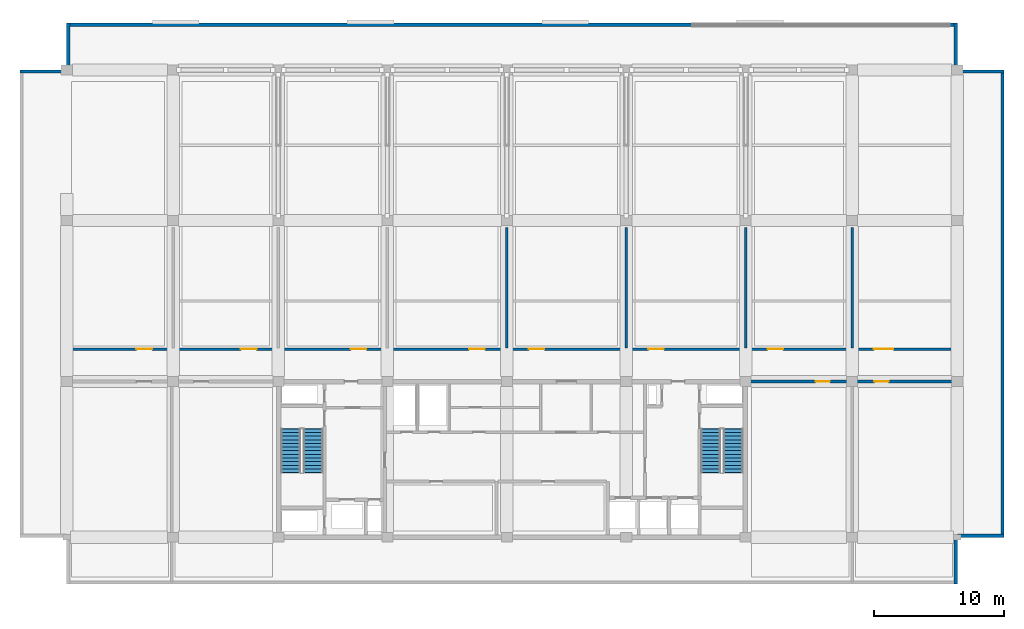
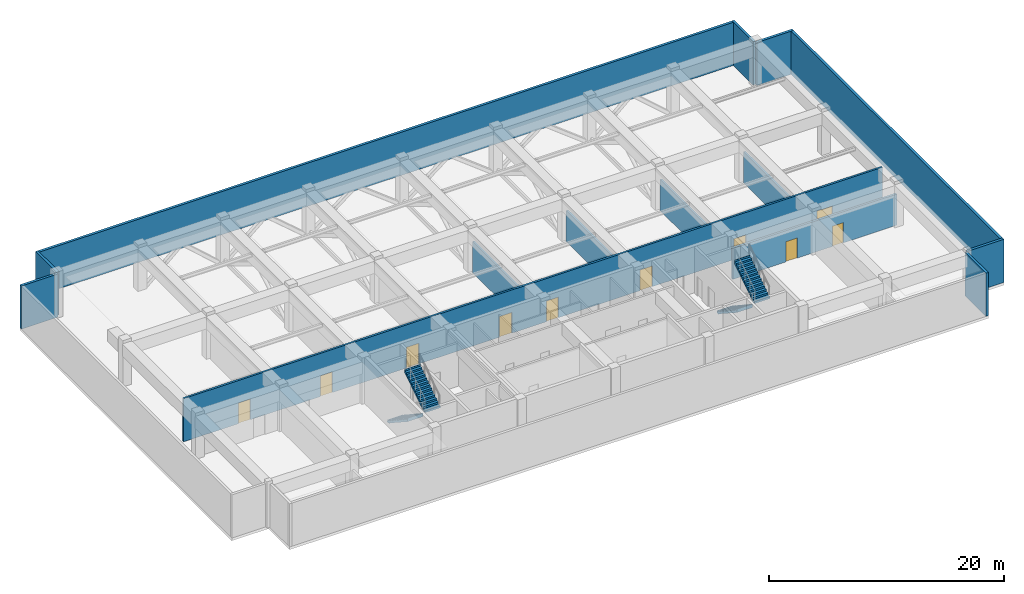
# One storey, part 7 of 11: 14 walls, 10 doors, 4 stair flights, 10 openings, 2 elements without a shape of their own.
"""IFC4 building model written with IfcOpenShell, lengths in metres."""

from ifc_helpers import new_model, si_unit, direction, frame, frame_2d, origin, place, context, subcontext, project, spatial, polyline, rectangle, outline, extrude, material, layer, layer_set, type_object, element, fill, aggregate, save


model = new_model("IFC4")

# Units and contexts
model_context = context("Model", 3, precision=1e-05, world=origin(), true_north=direction((0.0, 1.0)))
body_context = subcontext(model_context, "Body", "Model", "MODEL_VIEW")
ifc_project = project(units=[si_unit("LENGTHUNIT", "METRE"), si_unit("AREAUNIT", "SQUARE_METRE"), si_unit("VOLUMEUNIT", "CUBIC_METRE"), si_unit("PLANEANGLEUNIT", "RADIAN"), si_unit("MASSUNIT", "GRAM", prefix="KILO")], contexts=[model_context])

# Site, building, storey
site_placement = place(None, origin())
site = spatial("IfcSite", under=ifc_project, at=site_placement, CompositionType="ELEMENT")
building_placement = place(site_placement, origin())
building = spatial("IfcBuilding", under=site, at=building_placement, Name="Korimba Cascade Residences", CompositionType="ELEMENT")
storey_placement = place(building_placement, frame((0.0, 0.0, 223.85009765625)))
storey = spatial("IfcBuildingStorey", under=building, at=storey_placement, Name="L65", CompositionType="ELEMENT", Elevation=223.85009765625)

# Walls
ifc_material_1 = material(Name="Precast concrete C40/50", Category="concrete")
ifc_layer_1 = layer(ifc_material_1, 0.25)
ifc_layer_set_1 = layer_set([ifc_layer_1], Name="Precast concrete C40/50")
wall_type_1 = type_object("IfcWallType", Name="EW-PLNT-250", PredefinedType="SHEAR", material=ifc_layer_set_1)
wall_1_placement = place(storey_placement, frame((128.27490234375, 51.60009765625, 0.0), z_axis=(0.0, 0.0, 1.0), x_axis=(0.0, 1.0, 0.0)))
element("IfcWall", 1, at=wall_1_placement, inside=storey, type_object=wall_type_1, Name="L65 T1 Perimeter Stone Wall E01", PredefinedType="SHEAR", context=body_context, shape_type="SweptSolid", body=[
    extrude(rectangle(XDim=3.599853515625, YDim=0.25, at=frame_2d((1.7998046875, 0.0))), origin(), (0.0, 0.0, 1.0), 4.47998046875),
])
wall_2_placement = place(storey_placement, frame((128.39990234375, 55.324951171875, 0.0), z_axis=(0.0, 0.0, 1.0), x_axis=(1.0, 0.0, 0.0)))
element("IfcWall", 2, at=wall_2_placement, inside=storey, type_object=wall_type_1, Name="L65 T1 Perimeter Stone Wall E02", PredefinedType="SHEAR", context=body_context, shape_type="SweptSolid", body=[
    extrude(rectangle(XDim=3.60009765625, YDim=0.25, at=frame_2d((1.800048828125, 0.0))), origin(), (0.0, 0.0, 1.0), 4.47998046875),
])
wall_3_placement = place(storey_placement, frame((131.875, 55.199951171875, 0.0), z_axis=(0.0, 0.0, 1.0), x_axis=(0.0, 1.0, 0.0)))
element("IfcWall", 3, at=wall_3_placement, inside=storey, type_object=wall_type_1, Name="L65 T1 Perimeter Stone Wall E03", PredefinedType="SHEAR", context=body_context, shape_type="SweptSolid", body=[
    extrude(rectangle(XDim=36.0, YDim=0.25, at=frame_2d((18.0, 0.0))), origin(), (0.0, 0.0, 1.0), 4.47998046875),
])
for number, where, z_axis, x_axis, name in (
    (4, (132.0, 91.074951171875, 0.0), (0.0, 0.0, 1.0), (-1.0, 0.0, 0.0), "L65 T1 Perimeter Stone Wall E04"),
    (5, (128.27490234375, 91.199951171875, 0.0), (0.0, 0.0, 1.0), (0.0, 1.0, 0.0), "L65 T1 Perimeter Stone Wall E05"),
):
    element("IfcWall", number, at=place(storey_placement, frame(where, z_axis=z_axis, x_axis=x_axis)), inside=storey, type_object=wall_type_1, Name=name, PredefinedType="SHEAR", context=body_context, shape_type="SweptSolid", body=[
        extrude(rectangle(XDim=3.60009765625, YDim=0.25, at=frame_2d((1.800048828125, 0.0))), origin(), (0.0, 0.0, 1.0), 4.47998046875),
    ])
wall_4_placement = place(storey_placement, frame((128.39990234375, 94.675048828125, 0.0), z_axis=(0.0, 0.0, 1.0), x_axis=(-1.0, 0.0, 0.0)))
element("IfcWall", 6, at=wall_4_placement, inside=storey, type_object=wall_type_1, Name="L65 T1 Perimeter Stone Wall E06", PredefinedType="SHEAR", context=body_context, shape_type="SweptSolid", body=[
    extrude(rectangle(XDim=68.599853515625, YDim=0.25, at=frame_2d((34.2998046875, 0.0))), origin(), (0.0, 0.0, 1.0), 4.47998046875),
])
for number, where, z_axis, x_axis, name in (
    (7, (59.925048828125, 94.800048828125, 0.0), (0.0, 0.0, 1.0), (0.0, -1.0, 0.0), "L65 T1 Perimeter Stone Wall E07"),
    (8, (59.800048828125, 91.074951171875, 0.0), (0.0, 0.0, 1.0), (-1.0, 0.0, 0.0), "L65 T1 Perimeter Stone Wall E08"),
):
    element("IfcWall", number, at=place(storey_placement, frame(where, z_axis=z_axis, x_axis=x_axis)), inside=storey, type_object=wall_type_1, Name=name, PredefinedType="SHEAR", context=body_context, shape_type="SweptSolid", body=[
        extrude(rectangle(XDim=3.60009765625, YDim=0.25, at=frame_2d((1.800048828125, 0.0))), origin(), (0.0, 0.0, 1.0), 4.47998046875),
    ])
ifc_material_2 = material(Name="Concrete C40/50", Category="concrete")
ifc_layer_2 = layer(ifc_material_2, 0.199951171875)
ifc_layer_set_2 = layer_set([ifc_layer_2], Name="Concrete C40/50")
wall_type_2 = type_object("IfcWallType", Name="WAL-PART-200", PredefinedType="PARTITIONING", material=ifc_layer_set_2)
for number, where, z_axis, x_axis, name in (
    (9, (93.699951171875, 69.800048828125, 0.0), (0.0, 0.0, 1.0), (0.0, 1.0, 0.0), "L65 Partition Wall WAL-L65-T1-PD4"),
    (10, (102.89990234375, 69.800048828125, 0.0), (0.0, 0.0, 1.0), (0.0, 1.0, 0.0), "L65 Partition Wall WAL-L65-T1-PD5"),
    (11, (112.10009765625, 69.800048828125, 0.0), (0.0, 0.0, 1.0), (0.0, 1.0, 0.0), "L65 Partition Wall WAL-L65-T1-PD6"),
    (12, (120.300048828125, 69.800048828125, 0.0), (0.0, 0.0, 1.0), (0.0, 1.0, 0.0), "L65 Partition Wall WAL-L65-T1-PD7"),
):
    element("IfcWall", number, at=place(storey_placement, frame(where, z_axis=z_axis, x_axis=x_axis)), inside=storey, type_object=wall_type_2, Name=name, PredefinedType="PARTITIONING", context=body_context, shape_type="SweptSolid", body=[
        extrude(rectangle(XDim=9.25, YDim=0.199951171875, at=frame_2d((4.625, 0.0))), origin(), (0.0, 0.0, 1.0), 3.22998046875),
    ])

# Wall, openings, doors
wall_5_placement = place(storey_placement, frame((59.800048828125, 69.699951171875, 0.0), z_axis=(0.0, 0.0, 1.0), x_axis=(1.0, 0.0, 0.0)))
wall_5 = element("IfcWall", 13, at=wall_5_placement, inside=storey, type_object=wall_type_2, Name="L65 Partition Wall WAL-L65-T1-PCORN", PredefinedType="PARTITIONING", context=body_context, shape_type="SweptSolid", body=[
    extrude(rectangle(XDim=68.599853515625, YDim=0.199951171875, at=frame_2d((34.2998046875, 0.0))), origin(), (0.0, 0.0, 1.0), 4.47998046875),
])
opening_1_placement = place(wall_5_placement, frame((5.3720703125, 0.0, 0.0)))
opening_1 = element("IfcOpeningElement", 14, at=opening_1_placement, cuts=wall_5, Name="Opening D-FD3", PredefinedType="OPENING", context=body_context, shape_type="SweptSolid", body=[
    extrude(rectangle(XDim=1.199951171875, YDim=2.14990234375, at=frame_2d((0.60009765625, 1.074951171875))), frame((0.0, 0.10986328125, 0.0), z_axis=(0.0, -1.0, 0.0), x_axis=(1.0, 0.0, 0.0)), (0.0, 0.0, 1.0), 0.219970703125),
])
opening_2_placement = place(wall_5_placement, frame((13.4208984375, 0.0, 0.0)))
opening_2 = element("IfcOpeningElement", 15, at=opening_2_placement, cuts=wall_5, Name="Opening D-FD3", PredefinedType="OPENING", context=body_context, shape_type="SweptSolid", body=[
    extrude(rectangle(XDim=1.199951171875, YDim=2.14990234375, at=frame_2d((0.60009765625, 1.074951171875))), frame((0.0, 0.10986328125, 0.0), z_axis=(0.0, -1.0, 0.0), x_axis=(1.0, 0.0, 0.0)), (0.0, 0.0, 1.0), 0.219970703125),
])
opening_3_placement = place(wall_5_placement, frame((21.884033203125, 0.0, 0.0)))
opening_3 = element("IfcOpeningElement", 16, at=opening_3_placement, cuts=wall_5, Name="Opening D-FD3", PredefinedType="OPENING", context=body_context, shape_type="SweptSolid", body=[
    extrude(rectangle(XDim=1.199951171875, YDim=2.14990234375, at=frame_2d((0.60009765625, 1.074951171875))), frame((0.0, 0.10986328125, 0.0), z_axis=(0.0, -1.0, 0.0), x_axis=(1.0, 0.0, 0.0)), (0.0, 0.0, 1.0), 0.219970703125),
])
opening_4_placement = place(wall_5_placement, frame((31.00390625, 0.0, 0.0)))
opening_4 = element("IfcOpeningElement", 17, at=opening_4_placement, cuts=wall_5, Name="Opening D-FD3", PredefinedType="OPENING", context=body_context, shape_type="SweptSolid", body=[
    extrude(rectangle(XDim=1.199951171875, YDim=2.14990234375, at=frame_2d((0.60009765625, 1.074951171875))), frame((0.0, 0.10986328125, 0.0), z_axis=(0.0, -1.0, 0.0), x_axis=(1.0, 0.0, 0.0)), (0.0, 0.0, 1.0), 0.219970703125),
])
opening_5_placement = place(wall_5_placement, frame((35.595947265625, 0.0, 0.0)))
opening_5 = element("IfcOpeningElement", 18, at=opening_5_placement, cuts=wall_5, Name="Opening D-FD3", PredefinedType="OPENING", context=body_context, shape_type="SweptSolid", body=[
    extrude(rectangle(XDim=1.199951171875, YDim=2.14990234375, at=frame_2d((0.60009765625, 1.074951171875))), frame((0.0, 0.10986328125, 0.0), z_axis=(0.0, -1.0, 0.0), x_axis=(1.0, 0.0, 0.0)), (0.0, 0.0, 1.0), 0.219970703125),
])
opening_6_placement = place(wall_5_placement, frame((44.7958984375, 0.0, 0.0)))
opening_6 = element("IfcOpeningElement", 19, at=opening_6_placement, cuts=wall_5, Name="Opening D-FD3", PredefinedType="OPENING", context=body_context, shape_type="SweptSolid", body=[
    extrude(rectangle(XDim=1.199951171875, YDim=2.14990234375, at=frame_2d((0.60009765625, 1.074951171875))), frame((0.0, 0.10986328125, 0.0), z_axis=(0.0, -1.0, 0.0), x_axis=(1.0, 0.0, 0.0)), (0.0, 0.0, 1.0), 0.219970703125),
])
opening_7_placement = place(wall_5_placement, frame((53.9912109375, 0.0, 0.0)))
opening_7 = element("IfcOpeningElement", 20, at=opening_7_placement, cuts=wall_5, Name="Opening D-FD3", PredefinedType="OPENING", context=body_context, shape_type="SweptSolid", body=[
    extrude(rectangle(XDim=1.199951171875, YDim=2.14990234375, at=frame_2d((0.60009765625, 1.074951171875))), frame((0.0, 0.10986328125, 0.0), z_axis=(0.0, -1.0, 0.0), x_axis=(1.0, 0.0, 0.0)), (0.0, 0.0, 1.0), 0.219970703125),
])
opening_8_placement = place(wall_5_placement, frame((62.181640625, 0.0, 0.0)))
opening_8 = element("IfcOpeningElement", 21, at=opening_8_placement, cuts=wall_5, Name="Opening D-FD4", PredefinedType="OPENING", context=body_context, shape_type="SweptSolid", body=[
    extrude(rectangle(XDim=1.5, YDim=2.179931640625, at=frame_2d((0.75, 1.08984375))), frame((0.0, 0.10986328125, 0.0), z_axis=(0.0, -1.0, 0.0), x_axis=(1.0, 0.0, 0.0)), (0.0, 0.0, 1.0), 0.219970703125),
])
ifc_material_3 = material(Name="Fire-Rated Steel Plant Door", Category="steel")
door_type_1 = type_object("IfcDoorType", Name="DR-FD120-1200", OperationType="NOTDEFINED", PredefinedType="DOOR", material=ifc_material_3)
door_1_placement = place(opening_1_placement, origin())
door_1 = element("IfcDoor", 22, at=door_1_placement, inside=storey, type_object=door_type_1, Name="L65 Chiller Plant Room Door", OperationType="SINGLE_SWING_RIGHT", OverallHeight=2.14990234375, OverallWidth=1.199951171875, PredefinedType="DOOR", context=body_context, shape_type="SweptSolid", body=[
    extrude(rectangle(XDim=1.199951171875, YDim=2.14990234375, at=frame_2d((0.60009765625, 1.074951171875))), frame((0.0, 0.02490234375, 0.0), z_axis=(0.0, -1.0, 0.0), x_axis=(1.0, 0.0, 0.0)), (0.0, 0.0, 1.0), 0.050048828125),
])
fill(opening_1, door_1)
door_2_placement = place(opening_2_placement, origin())
door_2 = element("IfcDoor", 23, at=door_2_placement, inside=storey, type_object=door_type_1, Name="L65 Condenser Water Plant Room Door", OperationType="SINGLE_SWING_LEFT", OverallHeight=2.14990234375, OverallWidth=1.199951171875, PredefinedType="DOOR", context=body_context, shape_type="SweptSolid", body=[
    extrude(rectangle(XDim=1.199951171875, YDim=2.14990234375, at=frame_2d((0.60009765625, 1.074951171875))), frame((0.0, 0.02490234375, 0.0), z_axis=(0.0, -1.0, 0.0), x_axis=(1.0, 0.0, 0.0)), (0.0, 0.0, 1.0), 0.050048828125),
])
fill(opening_2, door_2)
door_3_placement = place(opening_3_placement, origin())
door_3 = element("IfcDoor", 24, at=door_3_placement, inside=storey, type_object=door_type_1, Name="L65 Heat-Recovery AHU Plant Room Door", OperationType="SINGLE_SWING_RIGHT", OverallHeight=2.14990234375, OverallWidth=1.199951171875, PredefinedType="DOOR", context=body_context, shape_type="SweptSolid", body=[
    extrude(rectangle(XDim=1.199951171875, YDim=2.14990234375, at=frame_2d((0.60009765625, 1.074951171875))), frame((0.0, 0.02490234375, 0.0), z_axis=(0.0, -1.0, 0.0), x_axis=(1.0, 0.0, 0.0)), (0.0, 0.0, 1.0), 0.050048828125),
])
fill(opening_3, door_3)
door_4_placement = place(opening_4_placement, origin())
door_4 = element("IfcDoor", 25, at=door_4_placement, inside=storey, type_object=door_type_1, Name="L65 Smoke Exhaust Fan Plant Room Door", OperationType="SINGLE_SWING_LEFT", OverallHeight=2.14990234375, OverallWidth=1.199951171875, PredefinedType="DOOR", context=body_context, shape_type="SweptSolid", body=[
    extrude(rectangle(XDim=1.199951171875, YDim=2.14990234375, at=frame_2d((0.60009765625, 1.074951171875))), frame((0.0, 0.02490234375, 0.0), z_axis=(0.0, -1.0, 0.0), x_axis=(1.0, 0.0, 0.0)), (0.0, 0.0, 1.0), 0.050048828125),
])
fill(opening_4, door_4)
door_5_placement = place(opening_5_placement, origin())
door_5 = element("IfcDoor", 26, at=door_5_placement, inside=storey, type_object=door_type_1, Name="L65 Hydronic Pump Plant Room Door", OperationType="SINGLE_SWING_RIGHT", OverallHeight=2.14990234375, OverallWidth=1.199951171875, PredefinedType="DOOR", context=body_context, shape_type="SweptSolid", body=[
    extrude(rectangle(XDim=1.199951171875, YDim=2.14990234375, at=frame_2d((0.60009765625, 1.074951171875))), frame((0.0, 0.02490234375, 0.0), z_axis=(0.0, -1.0, 0.0), x_axis=(1.0, 0.0, 0.0)), (0.0, 0.0, 1.0), 0.050048828125),
])
fill(opening_5, door_5)
door_6_placement = place(opening_6_placement, origin())
door_6 = element("IfcDoor", 27, at=door_6_placement, inside=storey, type_object=door_type_1, Name="L65 Sprinkler Booster Plant Room Door", OperationType="SINGLE_SWING_LEFT", OverallHeight=2.14990234375, OverallWidth=1.199951171875, PredefinedType="DOOR", context=body_context, shape_type="SweptSolid", body=[
    extrude(rectangle(XDim=1.199951171875, YDim=2.14990234375, at=frame_2d((0.60009765625, 1.074951171875))), frame((0.0, 0.02490234375, 0.0), z_axis=(0.0, -1.0, 0.0), x_axis=(1.0, 0.0, 0.0)), (0.0, 0.0, 1.0), 0.050048828125),
])
fill(opening_6, door_6)
door_7_placement = place(opening_7_placement, origin())
door_7 = element("IfcDoor", 28, at=door_7_placement, inside=storey, type_object=door_type_1, Name="L65 BMS Control Switchroom Plant Door", OperationType="SINGLE_SWING_RIGHT", OverallHeight=2.14990234375, OverallWidth=1.199951171875, PredefinedType="DOOR", context=body_context, shape_type="SweptSolid", body=[
    extrude(rectangle(XDim=1.199951171875, YDim=2.14990234375, at=frame_2d((0.60009765625, 1.074951171875))), frame((0.0, 0.02490234375, 0.0), z_axis=(0.0, -1.0, 0.0), x_axis=(1.0, 0.0, 0.0)), (0.0, 0.0, 1.0), 0.050048828125),
])
fill(opening_7, door_7)
ifc_material_4 = material(Name="Fire-Rated Double Steel Refuge Door", Category="steel")
door_type_2 = type_object("IfcDoorType", Name="DR-FD120-1500", OperationType="NOTDEFINED", PredefinedType="DOOR", material=ifc_material_4)
door_8_placement = place(opening_8_placement, origin())
door_8 = element("IfcDoor", 29, at=door_8_placement, inside=storey, type_object=door_type_2, Name="L65 Open-Air Fire Refuge Area Door", OperationType="DOUBLE_DOOR_SINGLE_SWING", OverallHeight=2.179931640625, OverallWidth=1.5, PredefinedType="DOOR", context=body_context, shape_type="SweptSolid", body=[
    extrude(rectangle(XDim=1.5, YDim=2.179931640625, at=frame_2d((0.75, 1.08984375))), frame((0.0, 0.02490234375, 0.0), z_axis=(0.0, -1.0, 0.0), x_axis=(1.0, 0.0, 0.0)), (0.0, 0.0, 1.0), 0.050048828125),
])
fill(opening_8, door_8)

wall_6_placement = place(storey_placement, frame((112.25, 67.199951171875, 0.0), z_axis=(0.0, 0.0, 1.0), x_axis=(1.0, 0.0, 0.0)))
wall_6 = element("IfcWall", 30, at=wall_6_placement, inside=storey, type_object=wall_type_2, Name="L65 Partition Wall WAL-L65-T1-RWEN", PredefinedType="PARTITIONING", context=body_context, shape_type="SweptSolid", body=[
    extrude(rectangle(XDim=16.10009765625, YDim=0.199951171875, at=frame_2d((8.050048828125, 0.0))), origin(), (0.0, 0.0, 1.0), 3.22998046875),
])
opening_9_placement = place(wall_6_placement, frame((5.240966796875, 0.0, 0.0)))
opening_9 = element("IfcOpeningElement", 31, at=opening_9_placement, cuts=wall_6, Name="Opening D-FD1", PredefinedType="OPENING", context=body_context, shape_type="SweptSolid", body=[
    extrude(rectangle(XDim=1.10009765625, YDim=2.10009765625, at=frame_2d((0.550048828125, 1.050048828125))), frame((0.0, 0.10986328125, 0.0), z_axis=(0.0, -1.0, 0.0), x_axis=(1.0, 0.0, 0.0)), (0.0, 0.0, 1.0), 0.219970703125),
])
opening_10_placement = place(wall_6_placement, frame((9.77001953125, 0.0, 0.0)))
opening_10 = element("IfcOpeningElement", 32, at=opening_10_placement, cuts=wall_6, Name="Opening D-FD1", PredefinedType="OPENING", context=body_context, shape_type="SweptSolid", body=[
    extrude(rectangle(XDim=1.10009765625, YDim=2.10009765625, at=frame_2d((0.550048828125, 1.050048828125))), frame((0.0, 0.10986328125, 0.0), z_axis=(0.0, -1.0, 0.0), x_axis=(1.0, 0.0, 0.0)), (0.0, 0.0, 1.0), 0.219970703125),
])
ifc_material_5 = material(Name="Fire-Rated Steel Core Door", Category="steel")
door_type_3 = type_object("IfcDoorType", Name="DR-FD120-1100", OperationType="NOTDEFINED", PredefinedType="DOOR", material=ifc_material_5)
door_9_placement = place(opening_9_placement, origin())
door_9 = element("IfcDoor", 33, at=door_9_placement, inside=storey, type_object=door_type_3, Name="L65 E Tank Plant Door", OperationType="SINGLE_SWING_LEFT", OverallHeight=2.10009765625, OverallWidth=1.10009765625, PredefinedType="DOOR", context=body_context, shape_type="SweptSolid", body=[
    extrude(rectangle(XDim=1.10009765625, YDim=2.10009765625, at=frame_2d((0.550048828125, 1.050048828125))), frame((0.0, 0.02490234375, 0.0), z_axis=(0.0, -1.0, 0.0), x_axis=(1.0, 0.0, 0.0)), (0.0, 0.0, 1.0), 0.050048828125),
])
fill(opening_9, door_9)
door_10_placement = place(opening_10_placement, origin())
door_10 = element("IfcDoor", 34, at=door_10_placement, inside=storey, type_object=door_type_3, Name="L65 E Switchroom Door", OperationType="SINGLE_SWING_RIGHT", OverallHeight=2.10009765625, OverallWidth=1.10009765625, PredefinedType="DOOR", context=body_context, shape_type="SweptSolid", body=[
    extrude(rectangle(XDim=1.10009765625, YDim=2.10009765625, at=frame_2d((0.550048828125, 1.050048828125))), frame((0.0, 0.02490234375, 0.0), z_axis=(0.0, -1.0, 0.0), x_axis=(1.0, 0.0, 0.0)), (0.0, 0.0, 1.0), 0.050048828125),
])
fill(opening_10, door_10)

# Stair, stair flights
ifc_material_6 = material(Name="Concrete C50/60", Category="concrete")
stair_type_1 = type_object("IfcStairType", Name="STR-W1-26R-1846", PredefinedType="HALF_TURN_STAIR", material=ifc_material_6)
stair_1_placement = place(storey_placement, origin())
stair_1 = element("IfcStair", 35, at=stair_1_placement, inside=storey, type_object=stair_type_1, Name="L65 Tower 1 West Fire Stair ST-W1", PredefinedType="HALF_TURN_STAIR")
stair_flight_type = type_object("IfcStairFlightType", Name="STF-DL-26R-1846-1520", PredefinedType="STRAIGHT", material=ifc_material_6)
stair_flight_1_placement = place(storey_placement, frame((77.06005859375, 63.550048828125, 0.0), z_axis=(0.0, 0.0, 1.0), x_axis=(0.0, -1.0, 0.0)))
stair_flight_1 = element("IfcStairFlight", 36, at=stair_flight_1_placement, type_object=stair_flight_type, Name="ST-W1 flight 1", NumberOfRisers=13, NumberOfTreads=12, PredefinedType="STRAIGHT", RiserHeight=0.184615385, TreadLength=0.28, context=body_context, shape_type="SweptSolid", body=[
    extrude(outline(polyline([(-0.0380859375, 0.0), (0.0, 0.1845703125), (0.280029296875, 0.1845703125), (0.280029296875, 0.369140625), (0.56005859375, 0.369140625), (0.56005859375, 0.553955078125), (0.840087890625, 0.553955078125), (0.840087890625, 0.738525390625), (1.1201171875, 0.738525390625), (1.1201171875, 0.923095703125), (1.39990234375, 0.923095703125), (1.39990234375, 1.107666015625), (1.679931640625, 1.107666015625), (1.679931640625, 1.292236328125), (1.9599609375, 1.292236328125), (1.9599609375, 1.476806640625), (2.239990234375, 1.476806640625), (2.239990234375, 1.66162109375), (2.52001953125, 1.66162109375), (2.52001953125, 1.84619140625), (2.800048828125, 1.84619140625), (2.800048828125, 2.03076171875), (3.080078125, 2.03076171875), (3.080078125, 2.21533203125), (3.360107421875, 2.21533203125), (3.360107421875, 2.39990234375), (3.39794921875, 2.39990234375), (3.39794921875, 2.035888671875), (0.272216796875, 0.0), (0.272216796875, -0.0380859375), (-0.0380859375, -0.0380859375), (-0.0380859375, 0.0)])), frame((0.0, 0.760009765625, 0.0), z_axis=(0.0, -1.0, 0.0), x_axis=(1.0, 0.0, 0.0)), (0.0, 0.0, 1.0), 1.52001953125),
])
stair_flight_2_placement = place(storey_placement, frame((78.780029296875, 60.18994140625, 2.39990234375), z_axis=(0.0, 0.0, 1.0), x_axis=(0.0, 1.0, 0.0)))
stair_flight_2 = element("IfcStairFlight", 37, at=stair_flight_2_placement, type_object=stair_flight_type, Name="ST-W1 flight 2", NumberOfRisers=13, NumberOfTreads=12, PredefinedType="STRAIGHT", RiserHeight=0.184615385, TreadLength=0.28, context=body_context, shape_type="SweptSolid", body=[
    extrude(outline(polyline([(-0.0380859375, 0.0), (0.0, 0.1845703125), (0.280029296875, 0.1845703125), (0.280029296875, 0.369140625), (0.56005859375, 0.369140625), (0.56005859375, 0.553955078125), (0.840087890625, 0.553955078125), (0.840087890625, 0.738525390625), (1.1201171875, 0.738525390625), (1.1201171875, 0.923095703125), (1.39990234375, 0.923095703125), (1.39990234375, 1.107666015625), (1.679931640625, 1.107666015625), (1.679931640625, 1.292236328125), (1.9599609375, 1.292236328125), (1.9599609375, 1.476806640625), (2.239990234375, 1.476806640625), (2.239990234375, 1.66162109375), (2.52001953125, 1.66162109375), (2.52001953125, 1.84619140625), (2.800048828125, 1.84619140625), (2.800048828125, 2.03076171875), (3.080078125, 2.03076171875), (3.080078125, 2.21533203125), (3.360107421875, 2.21533203125), (3.360107421875, 2.39990234375), (3.39794921875, 2.39990234375), (3.39794921875, 2.035888671875), (0.272216796875, 0.0), (0.272216796875, -0.0380859375), (-0.0380859375, -0.0380859375), (-0.0380859375, 0.0)])), frame((0.0, 0.760009765625, 0.0), z_axis=(0.0, -1.0, 0.0), x_axis=(1.0, 0.0, 0.0)), (0.0, 0.0, 1.0), 1.52001953125),
])
aggregate(stair_1, [stair_flight_1, stair_flight_2])

stair_type_2 = type_object("IfcStairType", Name="STR-W2-26R-1846", PredefinedType="HALF_TURN_STAIR", material=ifc_material_6)
stair_2_placement = place(storey_placement, origin())
stair_2 = element("IfcStair", 38, at=stair_2_placement, inside=storey, type_object=stair_type_2, Name="L65 Tower 1 East Fire Stair ST-W2", PredefinedType="HALF_TURN_STAIR")
stair_flight_3_placement = place(storey_placement, frame((109.419921875, 63.550048828125, 0.0), z_axis=(0.0, 0.0, 1.0), x_axis=(0.0, -1.0, 0.0)))
stair_flight_3 = element("IfcStairFlight", 39, at=stair_flight_3_placement, type_object=stair_flight_type, Name="ST-W2 flight 1", NumberOfRisers=13, NumberOfTreads=12, PredefinedType="STRAIGHT", RiserHeight=0.184615385, TreadLength=0.28, context=body_context, shape_type="SweptSolid", body=[
    extrude(outline(polyline([(-0.0380859375, 0.0), (0.0, 0.1845703125), (0.280029296875, 0.1845703125), (0.280029296875, 0.369140625), (0.56005859375, 0.369140625), (0.56005859375, 0.553955078125), (0.840087890625, 0.553955078125), (0.840087890625, 0.738525390625), (1.1201171875, 0.738525390625), (1.1201171875, 0.923095703125), (1.39990234375, 0.923095703125), (1.39990234375, 1.107666015625), (1.679931640625, 1.107666015625), (1.679931640625, 1.292236328125), (1.9599609375, 1.292236328125), (1.9599609375, 1.476806640625), (2.239990234375, 1.476806640625), (2.239990234375, 1.66162109375), (2.52001953125, 1.66162109375), (2.52001953125, 1.84619140625), (2.800048828125, 1.84619140625), (2.800048828125, 2.03076171875), (3.080078125, 2.03076171875), (3.080078125, 2.21533203125), (3.360107421875, 2.21533203125), (3.360107421875, 2.39990234375), (3.39794921875, 2.39990234375), (3.39794921875, 2.035888671875), (0.272216796875, 0.0), (0.272216796875, -0.0380859375), (-0.0380859375, -0.0380859375), (-0.0380859375, 0.0)])), frame((0.0, 0.760009765625, 0.0), z_axis=(0.0, -1.0, 0.0), x_axis=(1.0, 0.0, 0.0)), (0.0, 0.0, 1.0), 1.52001953125),
])
stair_flight_4_placement = place(storey_placement, frame((111.139892578125, 60.18994140625, 2.39990234375), z_axis=(0.0, 0.0, 1.0), x_axis=(0.0, 1.0, 0.0)))
stair_flight_4 = element("IfcStairFlight", 40, at=stair_flight_4_placement, type_object=stair_flight_type, Name="ST-W2 flight 2", NumberOfRisers=13, NumberOfTreads=12, PredefinedType="STRAIGHT", RiserHeight=0.184615385, TreadLength=0.28, context=body_context, shape_type="SweptSolid", body=[
    extrude(outline(polyline([(-0.0380859375, 0.0), (0.0, 0.1845703125), (0.280029296875, 0.1845703125), (0.280029296875, 0.369140625), (0.56005859375, 0.369140625), (0.56005859375, 0.553955078125), (0.840087890625, 0.553955078125), (0.840087890625, 0.738525390625), (1.1201171875, 0.738525390625), (1.1201171875, 0.923095703125), (1.39990234375, 0.923095703125), (1.39990234375, 1.107666015625), (1.679931640625, 1.107666015625), (1.679931640625, 1.292236328125), (1.9599609375, 1.292236328125), (1.9599609375, 1.476806640625), (2.239990234375, 1.476806640625), (2.239990234375, 1.66162109375), (2.52001953125, 1.66162109375), (2.52001953125, 1.84619140625), (2.800048828125, 1.84619140625), (2.800048828125, 2.03076171875), (3.080078125, 2.03076171875), (3.080078125, 2.21533203125), (3.360107421875, 2.21533203125), (3.360107421875, 2.39990234375), (3.39794921875, 2.39990234375), (3.39794921875, 2.035888671875), (0.272216796875, 0.0), (0.272216796875, -0.0380859375), (-0.0380859375, -0.0380859375), (-0.0380859375, 0.0)])), frame((0.0, 0.760009765625, 0.0), z_axis=(0.0, -1.0, 0.0), x_axis=(1.0, 0.0, 0.0)), (0.0, 0.0, 1.0), 1.52001953125),
])
aggregate(stair_2, [stair_flight_3, stair_flight_4])

save(model, "model.ifc")
